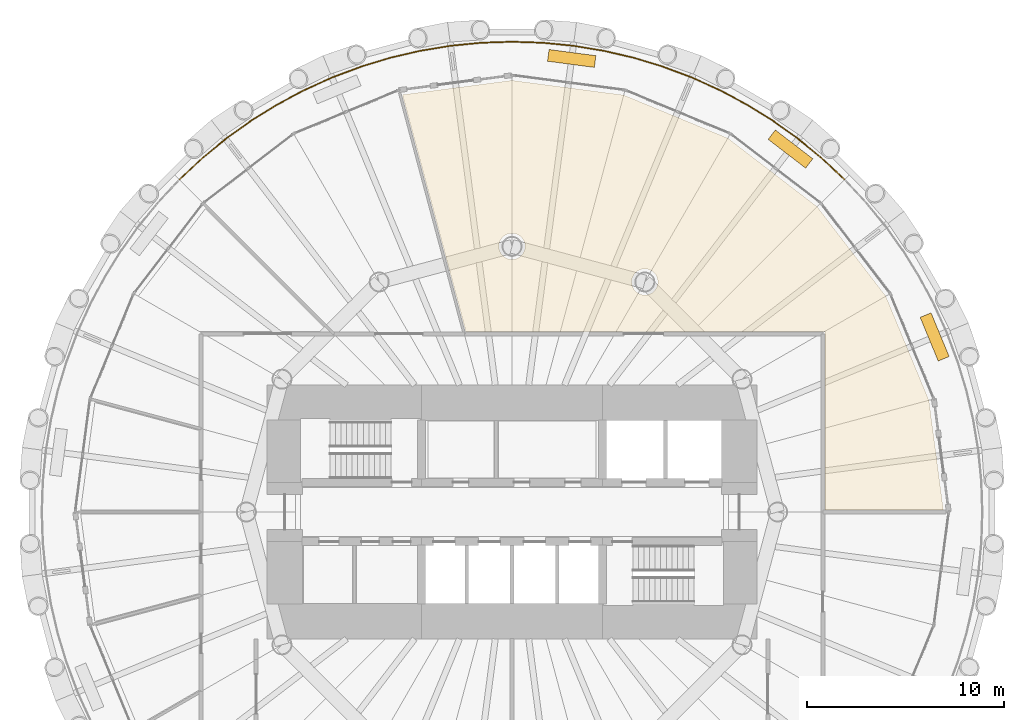
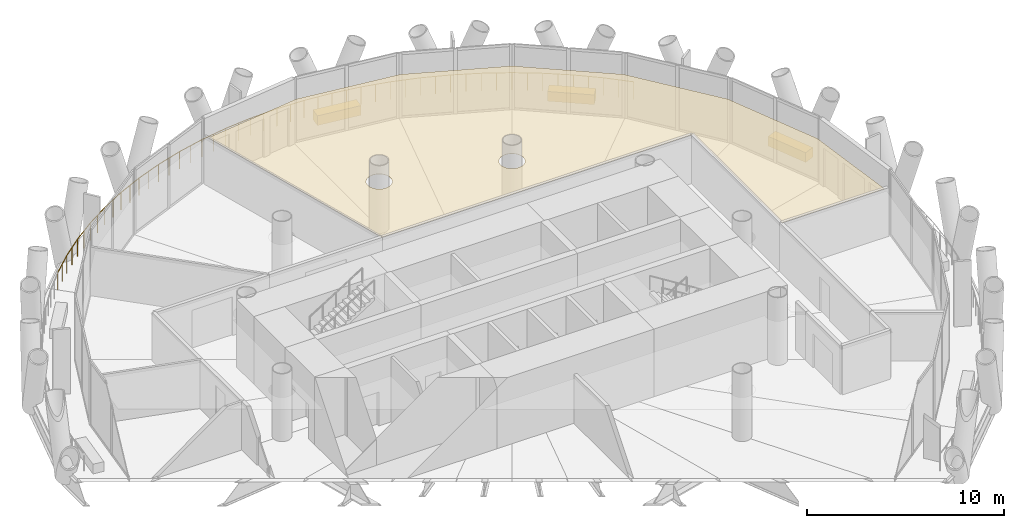
# One storey, part 14 of 14: 4 coverings, 1 railing.
"""IFC4 building model written with IfcOpenShell, lengths in metres."""

from ifc_helpers import new_model, si_unit, direction, frame, origin, origin_2d, place, context, subcontext, project, spatial, polyline, rectangle, circle, outline, extrude, material, layer, layer_set, type_object, element, save


model = new_model("IFC4")

# Units and contexts
model_context = context("Model", 3, precision=1e-05, world=origin(), true_north=direction((0.0, 1.0)))
body_context = subcontext(model_context, "Body", "Model", "MODEL_VIEW")
ifc_project = project(units=[si_unit("LENGTHUNIT", "METRE"), si_unit("AREAUNIT", "SQUARE_METRE"), si_unit("VOLUMEUNIT", "CUBIC_METRE"), si_unit("PLANEANGLEUNIT", "RADIAN"), si_unit("MASSUNIT", "GRAM", prefix="KILO")], contexts=[model_context])

# Site, building, storey
site_placement = place(None, origin())
site = spatial("IfcSite", under=ifc_project, at=site_placement, CompositionType="ELEMENT")
building_placement = place(site_placement, origin())
building = spatial("IfcBuilding", under=site, at=building_placement, Name="Qaws Media Tower", CompositionType="ELEMENT")
storey_placement = place(building_placement, frame((0.0, 0.0, 168.800048828125)))
storey = spatial("IfcBuildingStorey", under=building, at=storey_placement, Name="L38", CompositionType="ELEMENT", Elevation=168.800048828125)

# Railing
ifc_material_1 = material(Name="Stainless steel and glass guard", Category="steel")
railing_type = type_object("IfcRailingType", Name="Balcony guard 1100", PredefinedType="GUARDRAIL", material=ifc_material_1)
railing_placement = place(storey_placement, frame((76.89990234375, 66.89990234375, 0.0)))
element("IfcRailing", 1, at=railing_placement, inside=storey, type_object=railing_type, Name="GR1 balcony guard L38-1", PredefinedType="GUARDRAIL", context=body_context, shape_type="SweptSolid", body=[
    extrude(circle(Radius=0.02392578125, at=origin_2d()), frame((0.0, 0.0, 1.076171875), z_axis=(-0.729907055761, 0.683546406582, 0.0), x_axis=(-0.683546406582, -0.729907055761, 0.0)), (0.0, 0.0, 1.0), 1.56396484375),
    extrude(circle(Radius=0.02392578125, at=origin_2d()), frame((-1.1416015625, 1.069091796875, 1.076171875), z_axis=(-0.773010558404, 0.63439315617, 0.0), x_axis=(-0.63439315617, -0.773010558404, 0.0)), (0.0, 0.0, 1.0), 1.56396484375),
    extrude(circle(Radius=0.02392578125, at=origin_2d()), frame((-2.3505859375, 2.061279296875, 1.076171875), z_axis=(-0.812867633401, 0.582448461728, 0.0), x_axis=(-0.582448461728, -0.812867633401, 0.0)), (0.0, 0.0, 1.0), 1.56396484375),
    extrude(circle(Radius=0.02392578125, at=origin_2d()), frame((-3.621826171875, 2.97216796875, 1.076171875), z_axis=(-0.849188837799, 0.528089308506, 0.0), x_axis=(-0.528089308506, -0.849188837799, 0.0)), (0.0, 0.0, 1.0), 1.56396484375),
    extrude(circle(Radius=0.02392578125, at=origin_2d()), frame((-4.949951171875, 3.798095703125, 1.076171875), z_axis=(-0.881885786947, 0.471463104369, 0.0), x_axis=(-0.471463104369, -0.881885786947, 0.0)), (0.0, 0.0, 1.0), 1.56396484375),
    extrude(circle(Radius=0.02392578125, at=origin_2d()), frame((-6.3291015625, 4.535400390625, 1.076171875), z_axis=(-0.91085232909, 0.412732400705, 0.0), x_axis=(-0.412732400705, -0.91085232909, 0.0)), (0.0, 0.0, 1.0), 1.56396484375),
    extrude(circle(Radius=0.02392578125, at=origin_2d()), frame((-7.753662109375, 5.180908203125, 1.076171875), z_axis=(-0.935943724026, 0.352149606638, 0.0), x_axis=(-0.352149606638, -0.935943724026, 0.0)), (0.0, 0.0, 1.0), 1.56396484375),
    extrude(circle(Radius=0.02392578125, at=origin_2d()), frame((-9.217529296875, 5.731689453125, 1.076171875), z_axis=(-0.956919309344, 0.290353982933, 0.0), x_axis=(-0.290353982933, -0.956919309344, 0.0)), (0.0, 0.0, 1.0), 1.56396484375),
    extrude(circle(Radius=0.02392578125, at=origin_2d()), frame((-10.714111328125, 6.185791015625, 1.076171875), z_axis=(-0.973902199661, 0.226968071535, 0.0), x_axis=(-0.226968071535, -0.973902199661, 0.0)), (0.0, 0.0, 1.0), 1.56396484375),
    extrude(circle(Radius=0.02392578125, at=origin_2d()), frame((-12.2373046875, 6.540771484375, 1.076171875), z_axis=(-0.986629183023, 0.162981149854, 0.0), x_axis=(-0.162981149854, -0.986629183023, 0.0)), (0.0, 0.0, 1.0), 1.56396484375),
    extrude(circle(Radius=0.02392578125, at=origin_2d()), frame((-13.7802734375, 6.795654296875, 1.076171875), z_axis=(-0.995182940267, 0.098035276312, 0.0), x_axis=(-0.098035276312, -0.995182940267, 0.0)), (0.0, 0.0, 1.0), 1.56396484375),
    extrude(circle(Radius=0.02392578125, at=origin_2d()), frame((-15.336669921875, 6.948974609375, 1.076171875), z_axis=(-0.999467709508, 0.032623575088, 0.0), x_axis=(-0.032623575088, -0.999467709508, 0.0)), (0.0, 0.0, 1.0), 1.56396484375),
    extrude(circle(Radius=0.02392578125, at=origin_2d()), frame((-16.89990234375, 7.0, 1.076171875), z_axis=(-0.999467709508, -0.032623575088, 0.0), x_axis=(0.032623575088, -0.999467709508, 0.0)), (0.0, 0.0, 1.0), 1.56396484375),
    extrude(circle(Radius=0.02392578125, at=origin_2d()), frame((-18.463134765625, 6.948974609375, 1.076171875), z_axis=(-0.995182940267, -0.098035276312, 0.0), x_axis=(0.098035276312, -0.995182940267, 0.0)), (0.0, 0.0, 1.0), 1.56396484375),
    extrude(circle(Radius=0.02392578125, at=origin_2d()), frame((-20.01953125, 6.795654296875, 1.076171875), z_axis=(-0.986629183023, -0.162981149854, 0.0), x_axis=(0.162981149854, -0.986629183023, 0.0)), (0.0, 0.0, 1.0), 1.56396484375),
    extrude(circle(Radius=0.02392578125, at=origin_2d()), frame((-21.5625, 6.540771484375, 1.076171875), z_axis=(-0.973902199661, -0.226968071535, 0.0), x_axis=(0.226968071535, -0.973902199661, 0.0)), (0.0, 0.0, 1.0), 1.56396484375),
    extrude(circle(Radius=0.02392578125, at=origin_2d()), frame((-23.085693359375, 6.185791015625, 1.076171875), z_axis=(-0.956919309344, -0.290353982933, 0.0), x_axis=(0.290353982933, -0.956919309344, 0.0)), (0.0, 0.0, 1.0), 1.56396484375),
    extrude(circle(Radius=0.02392578125, at=origin_2d()), frame((-24.582275390625, 5.731689453125, 1.076171875), z_axis=(-0.935943724026, -0.352149606638, 0.0), x_axis=(0.352149606638, -0.935943724026, 0.0)), (0.0, 0.0, 1.0), 1.56396484375),
    extrude(circle(Radius=0.02392578125, at=origin_2d()), frame((-26.046142578125, 5.180908203125, 1.076171875), z_axis=(-0.91085232909, -0.412732400705, 0.0), x_axis=(0.412732400705, -0.91085232909, 0.0)), (0.0, 0.0, 1.0), 1.56396484375),
    extrude(circle(Radius=0.02392578125, at=origin_2d()), frame((-27.470703125, 4.535400390625, 1.076171875), z_axis=(-0.881885786947, -0.471463104369, 0.0), x_axis=(0.471463104369, -0.881885786947, 0.0)), (0.0, 0.0, 1.0), 1.56396484375),
    extrude(circle(Radius=0.02392578125, at=origin_2d()), frame((-28.849853515625, 3.798095703125, 1.076171875), z_axis=(-0.849188837799, -0.528089308506, 0.0), x_axis=(0.528089308506, -0.849188837799, 0.0)), (0.0, 0.0, 1.0), 1.56396484375),
    extrude(circle(Radius=0.02392578125, at=origin_2d()), frame((-30.177978515625, 2.97216796875, 1.076171875), z_axis=(-0.812867633401, -0.582448461728, 0.0), x_axis=(0.582448461728, -0.812867633401, 0.0)), (0.0, 0.0, 1.0), 1.56396484375),
    extrude(circle(Radius=0.02392578125, at=origin_2d()), frame((-31.44921875, 2.061279296875, 1.076171875), z_axis=(-0.773010558404, -0.63439315617, 0.0), x_axis=(0.63439315617, -0.773010558404, 0.0)), (0.0, 0.0, 1.0), 1.56396484375),
    extrude(circle(Radius=0.02392578125, at=origin_2d()), frame((-32.658203125, 1.069091796875, 1.076171875), z_axis=(-0.729907055761, -0.683546406582, 0.0), x_axis=(0.683546406582, -0.729907055761, 0.0)), (0.0, 0.0, 1.0), 1.56396484375),
    extrude(circle(Radius=0.02099609375, at=origin_2d()), origin(), (0.0, 0.0, 1.0), 1.052001953125),
    extrude(circle(Radius=0.02099609375, at=origin_2d()), frame((-0.57080078125, 0.53466796875, 0.0)), (0.0, 0.0, 1.0), 1.052001953125),
    extrude(circle(Radius=0.02099609375, at=origin_2d()), frame((-1.1416015625, 1.069091796875, 0.0)), (0.0, 0.0, 1.0), 1.052001953125),
    extrude(circle(Radius=0.02099609375, at=origin_2d()), frame((-1.74609375, 1.565185546875, 0.0)), (0.0, 0.0, 1.0), 1.052001953125),
    extrude(circle(Radius=0.02099609375, at=origin_2d()), frame((-2.3505859375, 2.061279296875, 0.0)), (0.0, 0.0, 1.0), 1.052001953125),
    extrude(circle(Radius=0.02099609375, at=origin_2d()), frame((-2.986328125, 2.5166015625, 0.0)), (0.0, 0.0, 1.0), 1.052001953125),
    extrude(circle(Radius=0.02099609375, at=origin_2d()), frame((-3.621826171875, 2.97216796875, 0.0)), (0.0, 0.0, 1.0), 1.052001953125),
    extrude(circle(Radius=0.02099609375, at=origin_2d()), frame((-4.285888671875, 3.38525390625, 0.0)), (0.0, 0.0, 1.0), 1.052001953125),
    extrude(circle(Radius=0.02099609375, at=origin_2d()), frame((-4.949951171875, 3.798095703125, 0.0)), (0.0, 0.0, 1.0), 1.052001953125),
    extrude(circle(Radius=0.02099609375, at=origin_2d()), frame((-5.6396484375, 4.166748046875, 0.0)), (0.0, 0.0, 1.0), 1.052001953125),
    extrude(circle(Radius=0.02099609375, at=origin_2d()), frame((-6.3291015625, 4.535400390625, 0.0)), (0.0, 0.0, 1.0), 1.052001953125),
    extrude(circle(Radius=0.02099609375, at=origin_2d()), frame((-7.04150390625, 4.858154296875, 0.0)), (0.0, 0.0, 1.0), 1.052001953125),
    extrude(circle(Radius=0.02099609375, at=origin_2d()), frame((-7.753662109375, 5.180908203125, 0.0)), (0.0, 0.0, 1.0), 1.052001953125),
    extrude(circle(Radius=0.02099609375, at=origin_2d()), frame((-8.485595703125, 5.456298828125, 0.0)), (0.0, 0.0, 1.0), 1.052001953125),
    extrude(circle(Radius=0.02099609375, at=origin_2d()), frame((-9.217529296875, 5.731689453125, 0.0)), (0.0, 0.0, 1.0), 1.052001953125),
    extrude(circle(Radius=0.02099609375, at=origin_2d()), frame((-9.9658203125, 5.958740234375, 0.0)), (0.0, 0.0, 1.0), 1.052001953125),
    extrude(circle(Radius=0.02099609375, at=origin_2d()), frame((-10.714111328125, 6.185791015625, 0.0)), (0.0, 0.0, 1.0), 1.052001953125),
    extrude(circle(Radius=0.02099609375, at=origin_2d()), frame((-11.4755859375, 6.36328125, 0.0)), (0.0, 0.0, 1.0), 1.052001953125),
    extrude(circle(Radius=0.02099609375, at=origin_2d()), frame((-12.2373046875, 6.540771484375, 0.0)), (0.0, 0.0, 1.0), 1.052001953125),
    extrude(circle(Radius=0.02099609375, at=origin_2d()), frame((-13.0087890625, 6.668212890625, 0.0)), (0.0, 0.0, 1.0), 1.052001953125),
    extrude(circle(Radius=0.02099609375, at=origin_2d()), frame((-13.7802734375, 6.795654296875, 0.0)), (0.0, 0.0, 1.0), 1.052001953125),
    extrude(circle(Radius=0.02099609375, at=origin_2d()), frame((-14.55859375, 6.872314453125, 0.0)), (0.0, 0.0, 1.0), 1.052001953125),
    extrude(circle(Radius=0.02099609375, at=origin_2d()), frame((-15.336669921875, 6.948974609375, 0.0)), (0.0, 0.0, 1.0), 1.052001953125),
    extrude(circle(Radius=0.02099609375, at=origin_2d()), frame((-16.1181640625, 6.974609375, 0.0)), (0.0, 0.0, 1.0), 1.052001953125),
    extrude(circle(Radius=0.02099609375, at=origin_2d()), frame((-16.89990234375, 7.0, 0.0)), (0.0, 0.0, 1.0), 1.052001953125),
    extrude(circle(Radius=0.02099609375, at=origin_2d()), frame((-17.681640625, 6.974609375, 0.0)), (0.0, 0.0, 1.0), 1.052001953125),
    extrude(circle(Radius=0.02099609375, at=origin_2d()), frame((-18.463134765625, 6.948974609375, 0.0)), (0.0, 0.0, 1.0), 1.052001953125),
    extrude(circle(Radius=0.02099609375, at=origin_2d()), frame((-19.2412109375, 6.872314453125, 0.0)), (0.0, 0.0, 1.0), 1.052001953125),
    extrude(circle(Radius=0.02099609375, at=origin_2d()), frame((-20.01953125, 6.795654296875, 0.0)), (0.0, 0.0, 1.0), 1.052001953125),
    extrude(circle(Radius=0.02099609375, at=origin_2d()), frame((-20.791015625, 6.668212890625, 0.0)), (0.0, 0.0, 1.0), 1.052001953125),
    extrude(circle(Radius=0.02099609375, at=origin_2d()), frame((-21.5625, 6.540771484375, 0.0)), (0.0, 0.0, 1.0), 1.052001953125),
    extrude(circle(Radius=0.02099609375, at=origin_2d()), frame((-22.32421875, 6.36328125, 0.0)), (0.0, 0.0, 1.0), 1.052001953125),
    extrude(circle(Radius=0.02099609375, at=origin_2d()), frame((-23.085693359375, 6.185791015625, 0.0)), (0.0, 0.0, 1.0), 1.052001953125),
    extrude(circle(Radius=0.02099609375, at=origin_2d()), frame((-23.833984375, 5.958740234375, 0.0)), (0.0, 0.0, 1.0), 1.052001953125),
    extrude(circle(Radius=0.02099609375, at=origin_2d()), frame((-24.582275390625, 5.731689453125, 0.0)), (0.0, 0.0, 1.0), 1.052001953125),
    extrude(circle(Radius=0.02099609375, at=origin_2d()), frame((-25.314208984375, 5.456298828125, 0.0)), (0.0, 0.0, 1.0), 1.052001953125),
    extrude(circle(Radius=0.02099609375, at=origin_2d()), frame((-26.046142578125, 5.180908203125, 0.0)), (0.0, 0.0, 1.0), 1.052001953125),
    extrude(circle(Radius=0.02099609375, at=origin_2d()), frame((-26.75830078125, 4.858154296875, 0.0)), (0.0, 0.0, 1.0), 1.052001953125),
    extrude(circle(Radius=0.02099609375, at=origin_2d()), frame((-27.470703125, 4.535400390625, 0.0)), (0.0, 0.0, 1.0), 1.052001953125),
    extrude(circle(Radius=0.02099609375, at=origin_2d()), frame((-28.16015625, 4.166748046875, 0.0)), (0.0, 0.0, 1.0), 1.052001953125),
    extrude(circle(Radius=0.02099609375, at=origin_2d()), frame((-28.849853515625, 3.798095703125, 0.0)), (0.0, 0.0, 1.0), 1.052001953125),
    extrude(circle(Radius=0.02099609375, at=origin_2d()), frame((-29.513916015625, 3.38525390625, 0.0)), (0.0, 0.0, 1.0), 1.052001953125),
    extrude(circle(Radius=0.02099609375, at=origin_2d()), frame((-30.177978515625, 2.97216796875, 0.0)), (0.0, 0.0, 1.0), 1.052001953125),
    extrude(circle(Radius=0.02099609375, at=origin_2d()), frame((-30.8134765625, 2.5166015625, 0.0)), (0.0, 0.0, 1.0), 1.052001953125),
    extrude(circle(Radius=0.02099609375, at=origin_2d()), frame((-31.44921875, 2.061279296875, 0.0)), (0.0, 0.0, 1.0), 1.052001953125),
    extrude(circle(Radius=0.02099609375, at=origin_2d()), frame((-32.0537109375, 1.565185546875, 0.0)), (0.0, 0.0, 1.0), 1.052001953125),
    extrude(circle(Radius=0.02099609375, at=origin_2d()), frame((-32.658203125, 1.069091796875, 0.0)), (0.0, 0.0, 1.0), 1.052001953125),
    extrude(circle(Radius=0.02099609375, at=origin_2d()), frame((-33.22900390625, 0.53466796875, 0.0)), (0.0, 0.0, 1.0), 1.052001953125),
    extrude(circle(Radius=0.02099609375, at=origin_2d()), frame((-33.7998046875, 0.0, 0.0)), (0.0, 0.0, 1.0), 1.052001953125),
])

# Coverings
ifc_material_2 = material(Name="600 x 600 mineral fibre tiles in exposed grid, suspended", Category="mineral fibre")
ifc_layer_1 = layer(ifc_material_2, 0.02001953125)
ifc_layer_set_1 = layer_set([ifc_layer_1], Name="Mineral fibre tile ceiling 20")
covering_type_1 = type_object("IfcCoveringType", Name="Mineral fibre tile ceiling 20", PredefinedType="CEILING", material=ifc_layer_set_1)
covering_placement = place(storey_placement, frame((0.0, 0.0, 2.849853515625)))
element("IfcCovering", 2, at=covering_placement, inside=storey, type_object=covering_type_1, Name="CL1 ceiling L38-02 HR office", PredefinedType="CEILING", context=body_context, shape_type="SweptSolid", body=[
    extrude(outline(polyline([(60.0, 71.935302734375), (65.67724609375, 71.187744140625), (70.967529296875, 68.99658203125), (75.510498046875, 65.510498046875), (78.99658203125, 60.967529296875), (81.187744140625, 55.67724609375), (81.92041015625, 50.112548828125), (75.91259765625, 50.112548828125), (75.91259765625, 59.16259765625), (57.661376953125, 59.16259765625), (54.435302734375, 71.20263671875), (60.0, 71.935302734375)]), holes=[polyline([(60.6171875, 63.244384765625), (60.645263671875, 63.3271484375), (60.662353515625, 63.412841796875), (60.66796875, 63.5), (60.662353515625, 63.587158203125), (60.645263671875, 63.6728515625), (60.6171875, 63.755615234375), (60.57861328125, 63.833984375), (60.530029296875, 63.90673828125), (60.472412109375, 63.972412109375), (60.40673828125, 64.030029296875), (60.333984375, 64.07861328125), (60.255615234375, 64.1171875), (60.1728515625, 64.145263671875), (60.087158203125, 64.162353515625), (60.0, 64.16796875), (59.912841796875, 64.162353515625), (59.8271484375, 64.145263671875), (59.744384765625, 64.1171875), (59.666015625, 64.07861328125), (59.59326171875, 64.030029296875), (59.527587890625, 63.972412109375), (59.469970703125, 63.90673828125), (59.42138671875, 63.833984375), (59.3828125, 63.755615234375), (59.354736328125, 63.6728515625), (59.337646484375, 63.587158203125), (59.33203125, 63.5), (59.337646484375, 63.412841796875), (59.354736328125, 63.3271484375), (59.3828125, 63.244384765625), (59.42138671875, 63.166015625), (59.469970703125, 63.09326171875), (59.527587890625, 63.027587890625), (59.59326171875, 62.969970703125), (59.666015625, 62.92138671875), (59.744384765625, 62.8828125), (59.8271484375, 62.854736328125), (59.912841796875, 62.837646484375), (60.0, 62.83203125), (60.087158203125, 62.837646484375), (60.1728515625, 62.854736328125), (60.255615234375, 62.8828125), (60.333984375, 62.92138671875), (60.40673828125, 62.969970703125), (60.472412109375, 63.027587890625), (60.530029296875, 63.09326171875), (60.57861328125, 63.166015625), (60.6171875, 63.244384765625)]), polyline([(67.3671875, 61.435791015625), (67.395263671875, 61.5185546875), (67.412353515625, 61.604248046875), (67.41796875, 61.69140625), (67.412353515625, 61.778564453125), (67.395263671875, 61.8642578125), (67.3671875, 61.947021484375), (67.32861328125, 62.025390625), (67.280029296875, 62.097900390625), (67.222412109375, 62.163818359375), (67.15673828125, 62.22119140625), (67.083984375, 62.269775390625), (67.005615234375, 62.30859375), (66.9228515625, 62.336669921875), (66.837158203125, 62.353515625), (66.75, 62.359375), (66.662841796875, 62.353515625), (66.5771484375, 62.336669921875), (66.494384765625, 62.30859375), (66.416015625, 62.269775390625), (66.34326171875, 62.22119140625), (66.277587890625, 62.163818359375), (66.219970703125, 62.097900390625), (66.17138671875, 62.025390625), (66.1328125, 61.947021484375), (66.104736328125, 61.8642578125), (66.087646484375, 61.778564453125), (66.08203125, 61.69140625), (66.087646484375, 61.604248046875), (66.104736328125, 61.5185546875), (66.1328125, 61.435791015625), (66.17138671875, 61.357421875), (66.219970703125, 61.28466796875), (66.277587890625, 61.218994140625), (66.34326171875, 61.161376953125), (66.416015625, 61.11279296875), (66.494384765625, 61.07421875), (66.5771484375, 61.046142578125), (66.662841796875, 61.029052734375), (66.75, 61.023193359375), (66.837158203125, 61.029052734375), (66.9228515625, 61.046142578125), (67.005615234375, 61.07421875), (67.083984375, 61.11279296875), (67.15673828125, 61.161376953125), (67.222412109375, 61.218994140625), (67.280029296875, 61.28466796875), (67.32861328125, 61.357421875), (67.3671875, 61.435791015625)])]), origin(), (0.0, 0.0, 1.0), 0.02001953125),
])
ifc_material_3 = material(Name="Precast concrete planter with trailing planting", Category="concrete")
ifc_layer_2 = layer(ifc_material_3, 0.60009765625)
ifc_layer_set_2 = layer_set([ifc_layer_2], Name="Planter 2400x600")
covering_type_2 = type_object("IfcCoveringType", Name="Planter 2400x600", PredefinedType="USERDEFINED", material=ifc_layer_set_2)
for number, where, z_axis, x_axis, name in (
    (3, (81.480224609375, 58.8974609375, 0.0), (0.0, 0.0, 1.0), (-0.382683432365, 0.923879532511, 0.0), "PL1 balcony planter L38-01"),
    (4, (74.15380859375, 68.445556640625, 0.0), (0.0, 0.0, 1.0), (-0.793353340291, 0.608761429009, 0.0), "PL1 balcony planter L38-02"),
    (5, (63.03466796875, 73.051025390625, 0.0), (0.0, 0.0, 1.0), (-0.991444861374, 0.13052619222, 0.0), "PL1 balcony planter L38-03"),
):
    element("IfcCovering", number, at=place(storey_placement, frame(where, z_axis=z_axis, x_axis=x_axis)), inside=storey, type_object=covering_type_2, Name=name, ObjectType="PLANTER", PredefinedType="USERDEFINED", context=body_context, shape_type="SweptSolid", body=[
        extrude(rectangle(XDim=2.39990234375, YDim=0.60009765625, at=origin_2d()), origin(), (0.0, 0.0, 1.0), 0.60009765625),
    ])

save(model, "model.ifc")
